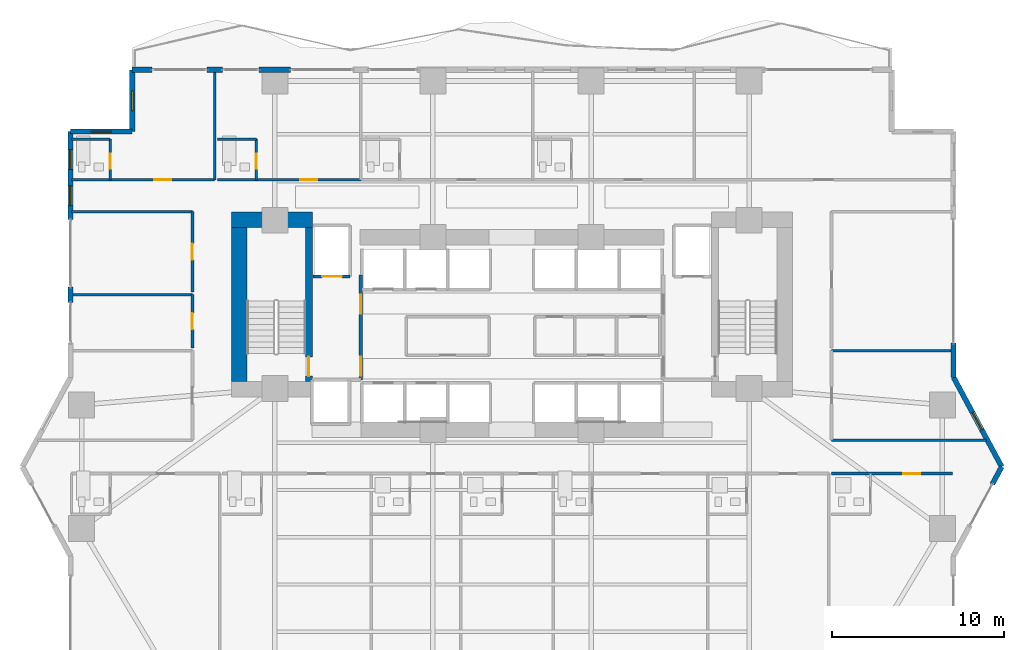
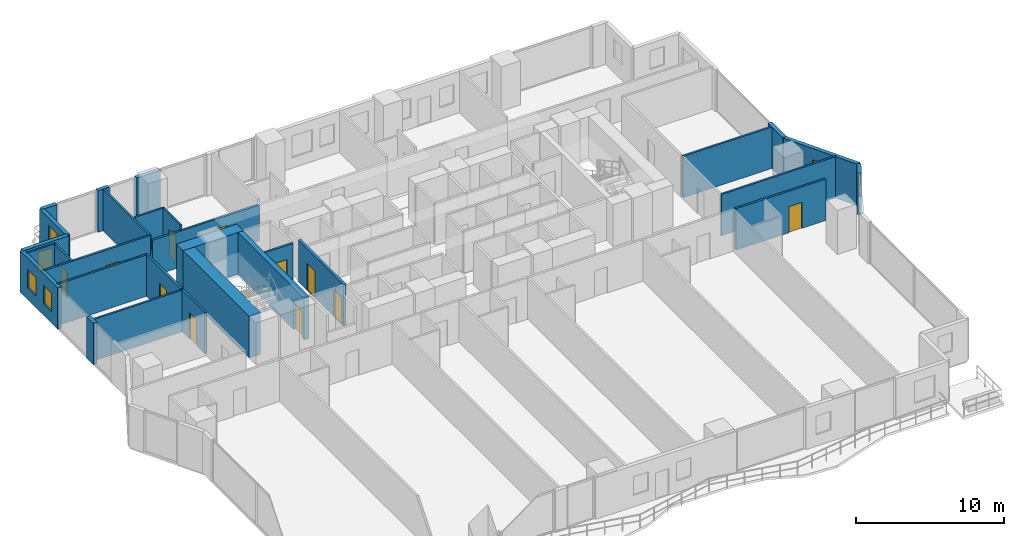
# One storey, part 20 of 29: 29 walls, 11 doors, 5 windows, 16 openings.
"""IFC4 building model written with IfcOpenShell, lengths in metres."""

from ifc_helpers import new_model, si_unit, direction, frame, frame_2d, origin, place, context, subcontext, project, spatial, rectangle, extrude, material, layer, layer_set, type_object, element, fill, save


model = new_model("IFC4")

# Units and contexts
model_context = context("Model", 3, precision=1e-05, world=origin(), true_north=direction((0.0, 1.0)))
body_context = subcontext(model_context, "Body", "Model", "MODEL_VIEW")
ifc_project = project(units=[si_unit("LENGTHUNIT", "METRE"), si_unit("AREAUNIT", "SQUARE_METRE"), si_unit("VOLUMEUNIT", "CUBIC_METRE"), si_unit("PLANEANGLEUNIT", "RADIAN"), si_unit("MASSUNIT", "GRAM", prefix="KILO")], contexts=[model_context])

# Site, building, storey
site_placement = place(None, origin())
site = spatial("IfcSite", under=ifc_project, at=site_placement, CompositionType="ELEMENT")
building_placement = place(site_placement, origin())
building = spatial("IfcBuilding", under=site, at=building_placement, Name="Zuhayl Quay Hotel", CompositionType="ELEMENT")
storey_placement = place(building_placement, frame((0.0, 0.0, 38.550048828125)))
storey = spatial("IfcBuildingStorey", under=building, at=storey_placement, Name="L08", CompositionType="ELEMENT", Elevation=38.550048828125)

# Walls
ifc_material_1 = material(Name="Concrete C70/85", Category="concrete")
ifc_layer_1 = layer(ifc_material_1, 0.89990234375, Name="Concrete C70/85", Category="concrete")
ifc_layer_set_1 = layer_set([ifc_layer_1], Name="Concrete C70/85")
wall_type_1 = type_object("IfcWallType", Name="WL_CORE_900", PredefinedType="SHEAR", material=ifc_layer_set_1)
wall_1_placement = place(storey_placement, frame((-16.31005859375, 14.3798828125, 0.0), z_axis=(0.0, 0.0, 1.0), x_axis=(1.0, 0.0, 0.0)))
element("IfcWall", 1, at=wall_1_placement, inside=storey, type_object=wall_type_1, Name="L08 Core Shear Wall CW_NW", PredefinedType="SHEAR", context=body_context, shape_type="SweptSolid", body=[
    extrude(rectangle(XDim=4.7099609375, YDim=0.89990234375, at=frame_2d((2.35498046875, 0.0))), origin(), (0.0, 0.0, 1.0), 3.4599609375),
])
wall_2_placement = place(storey_placement, frame((-15.860107421875, 4.969970703125, 0.0), z_axis=(0.0, 0.0, 1.0), x_axis=(0.0, 1.0, 0.0)))
element("IfcWall", 2, at=wall_2_placement, inside=storey, type_object=wall_type_1, Name="L08 Core Shear Wall CW_W", PredefinedType="SHEAR", context=body_context, shape_type="SweptSolid", body=[
    extrude(rectangle(XDim=8.9599609375, YDim=0.89990234375, at=frame_2d((4.47998046875, 0.0))), origin(), (0.0, 0.0, 1.0), 3.4599609375),
])
ifc_material_2 = material(Name="Precast concrete C45/55", Category="concrete")
ifc_layer_2 = layer(ifc_material_2, 0.300048828125, Name="Precast concrete C45/55", Category="concrete")
ifc_layer_set_2 = layer_set([ifc_layer_2], Name="Precast concrete C45/55")
wall_type_2 = type_object("IfcWallType", Name="WL_EXT_300", PredefinedType="STANDARD", material=ifc_layer_set_2)
wall_3_placement = place(storey_placement, frame((-25.699951171875, 9.570068359375, 0.0), z_axis=(0.0, 0.0, 1.0), x_axis=(0.0, 1.0, 0.0)))
element("IfcWall", 3, at=wall_3_placement, inside=storey, type_object=wall_type_2, Name="L08 Exterior Precast Wall ENV_L08_E05_EW2", PredefinedType="STANDARD", context=body_context, shape_type="SweptSolid", body=[
    extrude(rectangle(XDim=0.89990234375, YDim=0.300048828125, at=frame_2d((0.449951171875, 0.0))), origin(), (0.0, 0.0, 1.0), 3.429931640625),
])

# Wall, openings, windows
wall_4_placement = place(storey_placement, frame((-25.699951171875, 14.39990234375, 0.0), z_axis=(0.0, 0.0, 1.0), x_axis=(0.0, 1.0, 0.0)))
wall_4 = element("IfcWall", 4, at=wall_4_placement, inside=storey, type_object=wall_type_2, Name="L08 Exterior Precast Wall ENV_L08_E05_EW3", PredefinedType="STANDARD", context=body_context, shape_type="SweptSolid", body=[
    extrude(rectangle(XDim=5.10009765625, YDim=0.300048828125, at=frame_2d((2.550048828125, 0.0))), origin(), (0.0, 0.0, 1.0), 3.429931640625),
])
opening_1_placement = place(wall_4_placement, frame((0.800048828125, 0.0, 0.949951171875)))
opening_1 = element("IfcOpeningElement", 5, at=opening_1_placement, cuts=wall_4, Name="Opening W01N", PredefinedType="OPENING", context=body_context, shape_type="SweptSolid", body=[
    extrude(rectangle(XDim=1.14990234375, YDim=1.550048828125, at=frame_2d((0.574951171875, 0.77490234375))), frame((0.0, 0.159912109375, 0.0), z_axis=(0.0, -1.0, 0.0), x_axis=(1.0, 0.0, 0.0)), (0.0, 0.0, 1.0), 0.320068359375),
])
opening_2_placement = place(wall_4_placement, frame((2.905029296875, 0.0, 0.949951171875)))
opening_2 = element("IfcOpeningElement", 6, at=opening_2_placement, cuts=wall_4, Name="Opening W01N", PredefinedType="OPENING", context=body_context, shape_type="SweptSolid", body=[
    extrude(rectangle(XDim=1.14990234375, YDim=1.550048828125, at=frame_2d((0.574951171875, 0.77490234375))), frame((0.0, 0.159912109375, 0.0), z_axis=(0.0, -1.0, 0.0), x_axis=(1.0, 0.0, 0.0)), (0.0, 0.0, 1.0), 0.320068359375),
])
ifc_material_3 = material(Name="Dark Ceramic-Fritted Solar Glass", Category="glass")
window_type = type_object("IfcWindowType", Name="WN_NOTCH_1350", PartitioningType="SINGLE_PANEL", PredefinedType="WINDOW", material=ifc_material_3)
window_1_placement = place(opening_1_placement, origin())
window_1 = element("IfcWindow", 7, at=window_1_placement, inside=storey, type_object=window_type, Name="L08 Operable Facade Window 3-1", OverallHeight=1.550048828125, OverallWidth=1.14990234375, PartitioningType="SINGLE_PANEL", PredefinedType="WINDOW", context=body_context, shape_type="SweptSolid", body=[
    extrude(rectangle(XDim=1.14990234375, YDim=1.550048828125, at=frame_2d((0.574951171875, 0.77490234375))), frame((0.0, 0.030029296875, 0.0), z_axis=(0.0, -1.0, 0.0), x_axis=(1.0, 0.0, 0.0)), (0.0, 0.0, 1.0), 0.06005859375),
])
fill(opening_1, window_1)
window_2_placement = place(opening_2_placement, origin())
window_2 = element("IfcWindow", 8, at=window_2_placement, inside=storey, type_object=window_type, Name="L08 Operable Facade Window 3-2", OverallHeight=1.550048828125, OverallWidth=1.14990234375, PartitioningType="SINGLE_PANEL", PredefinedType="WINDOW", context=body_context, shape_type="SweptSolid", body=[
    extrude(rectangle(XDim=1.14990234375, YDim=1.550048828125, at=frame_2d((0.574951171875, 0.77490234375))), frame((0.0, 0.030029296875, 0.0), z_axis=(0.0, -1.0, 0.0), x_axis=(1.0, 0.0, 0.0)), (0.0, 0.0, 1.0), 0.06005859375),
])
fill(opening_2, window_2)

# Wall, opening, window
wall_5_placement = place(storey_placement, frame((-25.699951171875, 19.5, 0.0), z_axis=(0.0, 0.0, 1.0), x_axis=(1.0, 0.0, 0.0)))
wall_5 = element("IfcWall", 9, at=wall_5_placement, inside=storey, type_object=wall_type_2, Name="L08 Exterior Precast Wall ENV_L08_EW06", PredefinedType="STANDARD", context=body_context, shape_type="SweptSolid", body=[
    extrude(rectangle(XDim=3.599853515625, YDim=0.300048828125, at=frame_2d((1.7998046875, 0.0))), origin(), (0.0, 0.0, 1.0), 3.429931640625),
])
opening_3_placement = place(wall_5_placement, frame((1.22509765625, 0.0, 1.25)))
opening_3 = element("IfcOpeningElement", 10, at=opening_3_placement, cuts=wall_5, Name="Opening W01N", PredefinedType="OPENING", context=body_context, shape_type="SweptSolid", body=[
    extrude(rectangle(XDim=1.14990234375, YDim=1.550048828125, at=frame_2d((0.574951171875, 0.77490234375))), frame((0.0, 0.159912109375, 0.0), z_axis=(0.0, -1.0, 0.0), x_axis=(1.0, 0.0, 0.0)), (0.0, 0.0, 1.0), 0.320068359375),
])
window_3_placement = place(opening_3_placement, origin())
window_3 = element("IfcWindow", 11, at=window_3_placement, inside=storey, type_object=window_type, Name="L08 Corner Notch Window 6", OverallHeight=1.550048828125, OverallWidth=1.14990234375, PartitioningType="SINGLE_PANEL", PredefinedType="WINDOW", context=body_context, shape_type="SweptSolid", body=[
    extrude(rectangle(XDim=1.14990234375, YDim=1.550048828125, at=frame_2d((0.574951171875, 0.77490234375))), frame((0.0, 0.030029296875, 0.0), z_axis=(0.0, -1.0, 0.0), x_axis=(1.0, 0.0, 0.0)), (0.0, 0.0, 1.0), 0.06005859375),
])
fill(opening_3, window_3)

wall_6_placement = place(storey_placement, frame((-22.10009765625, 19.5, 0.0), z_axis=(0.0, 0.0, 1.0), x_axis=(0.0, 1.0, 0.0)))
wall_6 = element("IfcWall", 12, at=wall_6_placement, inside=storey, type_object=wall_type_2, Name="L08 Exterior Precast Wall ENV_L08_EW07", PredefinedType="STANDARD", context=body_context, shape_type="SweptSolid", body=[
    extrude(rectangle(XDim=3.60009765625, YDim=0.300048828125, at=frame_2d((1.800048828125, 0.0))), origin(), (0.0, 0.0, 1.0), 3.429931640625),
])
opening_4_placement = place(wall_6_placement, frame((1.22509765625, 0.0, 1.25)))
opening_4 = element("IfcOpeningElement", 13, at=opening_4_placement, cuts=wall_6, Name="Opening W01N", PredefinedType="OPENING", context=body_context, shape_type="SweptSolid", body=[
    extrude(rectangle(XDim=1.14990234375, YDim=1.550048828125, at=frame_2d((0.574951171875, 0.77490234375))), frame((0.0, 0.159912109375, 0.0), z_axis=(0.0, -1.0, 0.0), x_axis=(1.0, 0.0, 0.0)), (0.0, 0.0, 1.0), 0.320068359375),
])
window_4_placement = place(opening_4_placement, origin())
window_4 = element("IfcWindow", 14, at=window_4_placement, inside=storey, type_object=window_type, Name="L08 Corner Notch Window 7", OverallHeight=1.550048828125, OverallWidth=1.14990234375, PartitioningType="SINGLE_PANEL", PredefinedType="WINDOW", context=body_context, shape_type="SweptSolid", body=[
    extrude(rectangle(XDim=1.14990234375, YDim=1.550048828125, at=frame_2d((0.574951171875, 0.77490234375))), frame((0.0, 0.030029296875, 0.0), z_axis=(0.0, -1.0, 0.0), x_axis=(1.0, 0.0, 0.0)), (0.0, 0.0, 1.0), 0.06005859375),
])
fill(opening_4, window_4)

# Walls
wall_7_placement = place(storey_placement, frame((-22.10009765625, 23.10009765625, 0.0), z_axis=(0.0, 0.0, 1.0), x_axis=(1.0, 0.0, 0.0)))
element("IfcWall", 15, at=wall_7_placement, inside=storey, type_object=wall_type_2, Name="L08 Exterior Precast Wall ENV_L08_N_EW1", PredefinedType="STANDARD", context=body_context, shape_type="SweptSolid", body=[
    extrude(rectangle(XDim=1.150146484375, YDim=0.300048828125, at=frame_2d((0.5751953125, 0.0))), origin(), (0.0, 0.0, 1.0), 3.429931640625),
])
wall_8_placement = place(storey_placement, frame((-17.75, 23.10009765625, 0.0), z_axis=(0.0, 0.0, 1.0), x_axis=(1.0, 0.0, 0.0)))
element("IfcWall", 16, at=wall_8_placement, inside=storey, type_object=wall_type_2, Name="L08 Exterior Precast Wall ENV_L08_N_EW2", PredefinedType="STANDARD", context=body_context, shape_type="SweptSolid", body=[
    extrude(rectangle(XDim=0.89990234375, YDim=0.300048828125, at=frame_2d((0.449951171875, 0.0))), origin(), (0.0, 0.0, 1.0), 3.429931640625),
])
wall_9_placement = place(storey_placement, frame((-14.719970703125, 23.10009765625, 0.0), z_axis=(0.0, 0.0, 1.0), x_axis=(1.0, 0.0, 0.0)))
element("IfcWall", 17, at=wall_9_placement, inside=storey, type_object=wall_type_2, Name="L08 Exterior Precast Wall ENV_L08_N_EW3", PredefinedType="STANDARD", context=body_context, shape_type="SweptSolid", body=[
    extrude(rectangle(XDim=1.840087890625, YDim=0.300048828125, at=frame_2d((0.919921875, 0.0))), origin(), (0.0, 0.0, 1.0), 3.429931640625),
])
wall_10_placement = place(storey_placement, frame((25.699951171875, 7.199951171875, 0.0), z_axis=(0.0, 0.0, 1.0), x_axis=(0.0, -1.0, 0.0)))
element("IfcWall", 18, at=wall_10_placement, inside=storey, type_object=wall_type_2, Name="L08 Exterior Precast Wall ENV_L08_E11_EW2", PredefinedType="STANDARD", context=body_context, shape_type="SweptSolid", body=[
    extrude(rectangle(XDim=2.0, YDim=0.300048828125, at=frame_2d((1.0, 0.0))), origin(), (0.0, 0.0, 1.0), 3.429931640625),
])

# Wall, opening, window
wall_11_placement = place(storey_placement, frame((25.699951171875, 5.199951171875, 0.0), z_axis=(0.0, 0.0, 1.0), x_axis=(0.474109683532, -0.880465790352, 0.0)))
wall_11 = element("IfcWall", 19, at=wall_11_placement, inside=storey, type_object=wall_type_2, Name="L08 Exterior Precast Wall ENV_L08_E12_EW1", PredefinedType="STANDARD", context=body_context, shape_type="SweptSolid", body=[
    extrude(rectangle(XDim=5.906005859375, YDim=0.300048828125, at=frame_2d((2.953125, 0.0))), origin(), (0.0, 0.0, 1.0), 3.429931640625),
])
opening_5_placement = place(wall_11_placement, frame((2.32373046875, 0.0, 0.949951171875)))
opening_5 = element("IfcOpeningElement", 20, at=opening_5_placement, cuts=wall_11, Name="Opening W01N", PredefinedType="OPENING", context=body_context, shape_type="SweptSolid", body=[
    extrude(rectangle(XDim=1.14990234375, YDim=1.550048828125, at=frame_2d((0.574951171875, 0.77490234375))), frame((0.0, 0.159912109375, 0.0), z_axis=(0.0, -1.0, 0.0), x_axis=(1.0, 0.0, 0.0)), (0.0, 0.0, 1.0), 0.320068359375),
])
window_5_placement = place(opening_5_placement, origin())
window_5 = element("IfcWindow", 21, at=window_5_placement, inside=storey, type_object=window_type, Name="L08 Operable Facade Window 1-1", OverallHeight=1.550048828125, OverallWidth=1.14990234375, PartitioningType="SINGLE_PANEL", PredefinedType="WINDOW", context=body_context, shape_type="SweptSolid", body=[
    extrude(rectangle(XDim=1.14990234375, YDim=1.550048828125, at=frame_2d((0.574951171875, 0.77490234375))), frame((0.0, 0.030029296875, 0.0), z_axis=(0.0, -1.0, 0.0), x_axis=(1.0, 0.0, 0.0)), (0.0, 0.0, 1.0), 0.06005859375),
])
fill(opening_5, window_5)

# Walls
wall_12_placement = place(storey_placement, frame((28.5, 0.0, 0.0), z_axis=(0.0, 0.0, 1.0), x_axis=(-0.474099823035, -0.880471099922, 0.0)))
element("IfcWall", 22, at=wall_12_placement, inside=storey, type_object=wall_type_2, Name="L08 Exterior Precast Wall ENV_L08_E13_EW1", PredefinedType="STANDARD", context=body_context, shape_type="SweptSolid", body=[
    extrude(rectangle(XDim=1.14990234375, YDim=0.300048828125, at=frame_2d((0.574951171875, 0.0))), origin(), (0.0, 0.0, 1.0), 3.429931640625),
])
ifc_material_4 = material(Name="Acoustic Gypsum Partition STC-58")
ifc_layer_3 = layer(ifc_material_4, 0.14990234375, Name="Acoustic Gypsum Partition STC-58")
ifc_layer_set_3 = layer_set([ifc_layer_3], Name="Acoustic Gypsum Partition STC-58")
wall_type_3 = type_object("IfcWallType", Name="WL_PART_150", PredefinedType="PARTITIONING", material=ifc_layer_set_3)
wall_13_placement = place(storey_placement, frame((-17.300048828125, 16.699951171875, 0.0), z_axis=(0.0, 0.0, 1.0), x_axis=(0.0, 1.0, 0.0)))
element("IfcWall", 23, at=wall_13_placement, inside=storey, type_object=wall_type_3, Name="L08 Partition IW_L08_NU01A_E", PredefinedType="PARTITIONING", context=body_context, shape_type="SweptSolid", body=[
    extrude(rectangle(XDim=6.320068359375, YDim=0.14990234375, at=frame_2d((3.16015625, 0.0))), origin(), (0.0, 0.0, 1.0), 3.429931640625),
])
wall_14_placement = place(storey_placement, frame((18.60009765625, 1.550048828125, 0.0), z_axis=(0.0, 0.0, 1.0), x_axis=(1.0, 0.0, 0.0)))
element("IfcWall", 24, at=wall_14_placement, inside=storey, type_object=wall_type_3, Name="L08 Partition IW_L08_HK_MAIN_S", PredefinedType="PARTITIONING", context=body_context, shape_type="SweptSolid", body=[
    extrude(rectangle(XDim=9.00537109375, YDim=0.14990234375, at=frame_2d((4.502685546875, 0.0))), origin(), (0.0, 0.0, 1.0), 3.429931640625),
])
for number, where, z_axis, x_axis, name in (
    (25, (18.60009765625, 6.75, 0.0), (0.0, 0.0, 1.0), (1.0, 0.0, 0.0), "L08 Partition IW_L08_HK_MAIN_N"),
    (26, (-25.639892578125, 10.02001953125, 0.0), (0.0, 0.0, 1.0), (1.0, 0.0, 0.0), "L08 Partition IW_L08_WPROW_2_N"),
    (27, (-25.639892578125, 14.85009765625, 0.0), (0.0, 0.0, 1.0), (1.0, 0.0, 0.0), "L08 Partition IW_L08_WPROW_3_N"),
):
    element("IfcWall", number, at=place(storey_placement, frame(where, z_axis=z_axis, x_axis=x_axis)), inside=storey, type_object=wall_type_3, Name=name, PredefinedType="PARTITIONING", context=body_context, shape_type="SweptSolid", body=[
        extrude(rectangle(XDim=7.039794921875, YDim=0.14990234375, at=frame_2d((3.52001953125, 0.0))), origin(), (0.0, 0.0, 1.0), 3.429931640625),
    ])

# Wall, opening, door
ifc_layer_4 = layer(ifc_material_4, 0.159912109375, Name="Acoustic Gypsum Partition STC-58")
ifc_layer_set_4 = layer_set([ifc_layer_4], Name="Acoustic Gypsum Partition STC-58")
wall_type_4 = type_object("IfcWallType", Name="WL_PART_CORR_160", PredefinedType="PARTITIONING", material=ifc_layer_set_4)
wall_15_placement = place(storey_placement, frame((-25.639892578125, 16.699951171875, 0.0), z_axis=(0.0, 0.0, 1.0), x_axis=(1.0, 0.0, 0.0)))
wall_15 = element("IfcWall", 28, at=wall_15_placement, inside=storey, type_object=wall_type_4, Name="L08 Partition IW_L08_NU01A_COR", PredefinedType="PARTITIONING", context=body_context, shape_type="SweptSolid", body=[
    extrude(rectangle(XDim=8.33984375, YDim=0.159912109375, at=frame_2d((4.169921875, 0.0))), origin(), (0.0, 0.0, 1.0), 3.429931640625),
])
opening_6_placement = place(wall_15_placement, frame((4.820068359375, 0.0, 0.0)))
opening_6 = element("IfcOpeningElement", 29, at=opening_6_placement, cuts=wall_15, Name="Opening D03L", PredefinedType="OPENING", context=body_context, shape_type="SweptSolid", body=[
    extrude(rectangle(XDim=1.0, YDim=2.14990234375, at=frame_2d((0.5, 1.074951171875))), frame((0.0, 0.08984375, 0.0), z_axis=(0.0, -1.0, 0.0), x_axis=(1.0, 0.0, 0.0)), (0.0, 0.0, 1.0), 0.179931640625),
])
ifc_material_5 = material(Name="Solid Walnut Acoustic Fire Door")
door_type_1 = type_object("IfcDoorType", Name="DR_SUITE_1000", OperationType="NOTDEFINED", PredefinedType="DOOR", material=ifc_material_5)
door_1_placement = place(opening_6_placement, origin())
door_1 = element("IfcDoor", 30, at=door_1_placement, inside=storey, type_object=door_type_1, Name="L08 Deluxe Gulf Guest Room L08-01A Entrance Door", OperationType="SINGLE_SWING_LEFT", OverallHeight=2.14990234375, OverallWidth=1.0, PredefinedType="DOOR", context=body_context, shape_type="SweptSolid", body=[
    extrude(rectangle(XDim=1.0, YDim=2.14990234375, at=frame_2d((0.5, 1.074951171875))), frame((0.0, 0.02490234375, 0.0), z_axis=(0.0, -1.0, 0.0), x_axis=(1.0, 0.0, 0.0)), (0.0, 0.0, 1.0), 0.050048828125),
])
fill(opening_6, door_1)

wall_16_placement = place(storey_placement, frame((-17.139892578125, 16.699951171875, 0.0), z_axis=(0.0, 0.0, 1.0), x_axis=(1.0, 0.0, 0.0)))
wall_16 = element("IfcWall", 31, at=wall_16_placement, inside=storey, type_object=wall_type_4, Name="L08 Partition IW_L08_NU01B_COR", PredefinedType="PARTITIONING", context=body_context, shape_type="SweptSolid", body=[
    extrude(rectangle(XDim=8.33984375, YDim=0.159912109375, at=frame_2d((4.169921875, 0.0))), origin(), (0.0, 0.0, 1.0), 2.972900390625),
])
opening_7_placement = place(wall_16_placement, frame((4.820068359375, 0.0, 0.0)))
opening_7 = element("IfcOpeningElement", 32, at=opening_7_placement, cuts=wall_16, Name="Opening D03L", PredefinedType="OPENING", context=body_context, shape_type="SweptSolid", body=[
    extrude(rectangle(XDim=1.0, YDim=2.14990234375, at=frame_2d((0.5, 1.074951171875))), frame((0.0, 0.08984375, 0.0), z_axis=(0.0, -1.0, 0.0), x_axis=(1.0, 0.0, 0.0)), (0.0, 0.0, 1.0), 0.179931640625),
])
door_2_placement = place(opening_7_placement, origin())
door_2 = element("IfcDoor", 33, at=door_2_placement, inside=storey, type_object=door_type_1, Name="L08 Deluxe Gulf Guest Room L08-01B Entrance Door", OperationType="SINGLE_SWING_LEFT", OverallHeight=2.14990234375, OverallWidth=1.0, PredefinedType="DOOR", context=body_context, shape_type="SweptSolid", body=[
    extrude(rectangle(XDim=1.0, YDim=2.14990234375, at=frame_2d((0.5, 1.074951171875))), frame((0.0, 0.02490234375, 0.0), z_axis=(0.0, -1.0, 0.0), x_axis=(1.0, 0.0, 0.0)), (0.0, 0.0, 1.0), 0.050048828125),
])
fill(opening_7, door_2)

wall_17_placement = place(storey_placement, frame((18.60009765625, -0.39990234375, 0.0), z_axis=(0.0, 0.0, 1.0), x_axis=(1.0, 0.0, 0.0)))
wall_17 = element("IfcWall", 34, at=wall_17_placement, inside=storey, type_object=wall_type_4, Name="L08 Partition IW_L08_SU04B_COR", PredefinedType="PARTITIONING", context=body_context, shape_type="SweptSolid", body=[
    extrude(rectangle(XDim=7.039794921875, YDim=0.159912109375, at=frame_2d((3.52001953125, 0.0))), origin(), (0.0, 0.0, 1.0), 3.429931640625),
])
opening_8_placement = place(wall_17_placement, frame((4.169921875, 0.0, 0.0)))
opening_8 = element("IfcOpeningElement", 35, at=opening_8_placement, cuts=wall_17, Name="Opening D03L", PredefinedType="OPENING", context=body_context, shape_type="SweptSolid", body=[
    extrude(rectangle(XDim=1.0, YDim=2.14990234375, at=frame_2d((0.5, 1.074951171875))), frame((0.0, 0.08984375, 0.0), z_axis=(0.0, -1.0, 0.0), x_axis=(1.0, 0.0, 0.0)), (0.0, 0.0, 1.0), 0.179931640625),
])
door_3_placement = place(opening_8_placement, origin())
door_3 = element("IfcDoor", 36, at=door_3_placement, inside=storey, type_object=door_type_1, Name="L08 City-View Junior Suite L08-04B Entrance Door", OperationType="SINGLE_SWING_RIGHT", OverallHeight=2.14990234375, OverallWidth=1.0, PredefinedType="DOOR", context=body_context, shape_type="SweptSolid", body=[
    extrude(rectangle(XDim=1.0, YDim=2.14990234375, at=frame_2d((0.5, 1.074951171875))), frame((0.0, 0.02490234375, 0.0), z_axis=(0.0, -1.0, 0.0), x_axis=(1.0, 0.0, 0.0)), (0.0, 0.0, 1.0), 0.050048828125),
])
fill(opening_8, door_3)

wall_18_placement = place(storey_placement, frame((-18.60009765625, 6.909912109375, 0.0), z_axis=(0.0, 0.0, 1.0), x_axis=(0.0, 1.0, 0.0)))
wall_18 = element("IfcWall", 37, at=wall_18_placement, inside=storey, type_object=wall_type_4, Name="L08 Partition IW_L08_WPROW_2_E", PredefinedType="PARTITIONING", context=body_context, shape_type="SweptSolid", body=[
    extrude(rectangle(XDim=3.110107421875, YDim=0.159912109375, at=frame_2d((1.55517578125, 0.0))), origin(), (0.0, 0.0, 1.0), 3.429931640625),
])
opening_9_placement = place(wall_18_placement, frame((1.080078125, 0.0, 0.0)))
opening_9 = element("IfcOpeningElement", 38, at=opening_9_placement, cuts=wall_18, Name="Opening D03", PredefinedType="OPENING", context=body_context, shape_type="SweptSolid", body=[
    extrude(rectangle(XDim=0.949951171875, YDim=2.14990234375, at=frame_2d((0.47509765625, 1.074951171875))), frame((0.0, 0.08984375, 0.0), z_axis=(0.0, -1.0, 0.0), x_axis=(1.0, 0.0, 0.0)), (0.0, 0.0, 1.0), 0.179931640625),
])
door_type_2 = type_object("IfcDoorType", Name="DR_SUITE_950", OperationType="NOTDEFINED", PredefinedType="DOOR", material=ifc_material_5)
door_4_placement = place(opening_9_placement, origin())
door_4 = element("IfcDoor", 39, at=door_4_placement, inside=storey, type_object=door_type_2, Name="L08 Sunset Tea Salon L08 Door", OperationType="SINGLE_SWING_RIGHT", OverallHeight=2.14990234375, OverallWidth=0.949951171875, PredefinedType="DOOR", context=body_context, shape_type="SweptSolid", body=[
    extrude(rectangle(XDim=0.949951171875, YDim=2.14990234375, at=frame_2d((0.47509765625, 1.074951171875))), frame((0.0, 0.02490234375, 0.0), z_axis=(0.0, -1.0, 0.0), x_axis=(1.0, 0.0, 0.0)), (0.0, 0.0, 1.0), 0.050048828125),
])
fill(opening_9, door_4)

wall_19_placement = place(storey_placement, frame((-18.60009765625, 10.179931640625, 0.0), z_axis=(0.0, 0.0, 1.0), x_axis=(0.0, 1.0, 0.0)))
wall_19 = element("IfcWall", 40, at=wall_19_placement, inside=storey, type_object=wall_type_4, Name="L08 Partition IW_L08_WPROW_3_E", PredefinedType="PARTITIONING", context=body_context, shape_type="SweptSolid", body=[
    extrude(rectangle(XDim=4.670166015625, YDim=0.159912109375, at=frame_2d((2.3349609375, 0.0))), origin(), (0.0, 0.0, 1.0), 3.429931640625),
])
opening_10_placement = place(wall_19_placement, frame((1.860107421875, 0.0, 0.0)))
opening_10 = element("IfcOpeningElement", 41, at=opening_10_placement, cuts=wall_19, Name="Opening D03", PredefinedType="OPENING", context=body_context, shape_type="SweptSolid", body=[
    extrude(rectangle(XDim=0.949951171875, YDim=2.14990234375, at=frame_2d((0.47509765625, 1.074951171875))), frame((0.0, 0.08984375, 0.0), z_axis=(0.0, -1.0, 0.0), x_axis=(1.0, 0.0, 0.0)), (0.0, 0.0, 1.0), 0.179931640625),
])
door_5_placement = place(opening_10_placement, origin())
door_5 = element("IfcDoor", 42, at=door_5_placement, inside=storey, type_object=door_type_2, Name="L08 West Horizon Salon L08 Door", OperationType="SINGLE_SWING_LEFT", OverallHeight=2.14990234375, OverallWidth=0.949951171875, PredefinedType="DOOR", context=body_context, shape_type="SweptSolid", body=[
    extrude(rectangle(XDim=0.949951171875, YDim=2.14990234375, at=frame_2d((0.47509765625, 1.074951171875))), frame((0.0, 0.02490234375, 0.0), z_axis=(0.0, -1.0, 0.0), x_axis=(1.0, 0.0, 0.0)), (0.0, 0.0, 1.0), 0.050048828125),
])
fill(opening_10, door_5)

ifc_material_6 = material(Name="Moisture-Resistant Sanitarychase Gypsum")
ifc_layer_5 = layer(ifc_material_6, 0.135009765625, Name="Moisture-Resistant Sanitarychase Gypsum")
ifc_layer_set_5 = layer_set([ifc_layer_5], Name="Moisture-Resistant Sanitarychase Gypsum")
wall_type_5 = type_object("IfcWallType", Name="WL_PART_PLUMB_150", PredefinedType="PLUMBINGWALL", material=ifc_layer_set_5)
wall_20_placement = place(storey_placement, frame((-23.3798828125, 16.699951171875, 0.0), z_axis=(0.0, 0.0, 1.0), x_axis=(0.0, 1.0, 0.0)))
wall_20 = element("IfcWall", 43, at=wall_20_placement, inside=storey, type_object=wall_type_5, Name="L08 Partition IW_L08_NU01A_BE", PredefinedType="PLUMBINGWALL", context=body_context, shape_type="SweptSolid", body=[
    extrude(rectangle(XDim=2.360107421875, YDim=0.135009765625, at=frame_2d((1.18017578125, 0.0))), origin(), (0.0, 0.0, 1.0), 3.429931640625),
])
opening_11_placement = place(wall_20_placement, frame((0.64990234375, 0.0, 0.0)))
opening_11 = element("IfcOpeningElement", 44, at=opening_11_placement, cuts=wall_20, Name="Opening D04", PredefinedType="OPENING", context=body_context, shape_type="SweptSolid", body=[
    extrude(rectangle(XDim=0.85009765625, YDim=2.10009765625, at=frame_2d((0.425048828125, 1.050048828125))), frame((0.0, 0.077392578125, 0.0), z_axis=(0.0, -1.0, 0.0), x_axis=(1.0, 0.0, 0.0)), (0.0, 0.0, 1.0), 0.155029296875),
])
ifc_material_7 = material(Name="Moisture-Resistant Walnut Veneer")
door_type_3 = type_object("IfcDoorType", Name="DR_BATH_850", OperationType="NOTDEFINED", PredefinedType="DOOR", material=ifc_material_7)
door_6_placement = place(opening_11_placement, origin())
door_6 = element("IfcDoor", 45, at=door_6_placement, inside=storey, type_object=door_type_3, Name="L08 Deluxe Gulf Guest Room L08-01A En-Suite Door", OperationType="SINGLE_SWING_RIGHT", OverallHeight=2.10009765625, OverallWidth=0.85009765625, PredefinedType="DOOR", context=body_context, shape_type="SweptSolid", body=[
    extrude(rectangle(XDim=0.85009765625, YDim=2.10009765625, at=frame_2d((0.425048828125, 1.050048828125))), frame((0.0, 0.02490234375, 0.0), z_axis=(0.0, -1.0, 0.0), x_axis=(1.0, 0.0, 0.0)), (0.0, 0.0, 1.0), 0.050048828125),
])
fill(opening_11, door_6)

wall_21_placement = place(storey_placement, frame((-14.8798828125, 16.699951171875, 0.0), z_axis=(0.0, 0.0, 1.0), x_axis=(0.0, 1.0, 0.0)))
wall_21 = element("IfcWall", 46, at=wall_21_placement, inside=storey, type_object=wall_type_5, Name="L08 Partition IW_L08_NU01B_BE", PredefinedType="PLUMBINGWALL", context=body_context, shape_type="SweptSolid", body=[
    extrude(rectangle(XDim=2.360107421875, YDim=0.135009765625, at=frame_2d((1.18017578125, 0.0))), origin(), (0.0, 0.0, 1.0), 3.429931640625),
])
opening_12_placement = place(wall_21_placement, frame((0.64990234375, 0.0, 0.0)))
opening_12 = element("IfcOpeningElement", 47, at=opening_12_placement, cuts=wall_21, Name="Opening D04", PredefinedType="OPENING", context=body_context, shape_type="SweptSolid", body=[
    extrude(rectangle(XDim=0.85009765625, YDim=2.10009765625, at=frame_2d((0.425048828125, 1.050048828125))), frame((0.0, 0.077392578125, 0.0), z_axis=(0.0, -1.0, 0.0), x_axis=(1.0, 0.0, 0.0)), (0.0, 0.0, 1.0), 0.155029296875),
])
door_7_placement = place(opening_12_placement, origin())
door_7 = element("IfcDoor", 48, at=door_7_placement, inside=storey, type_object=door_type_3, Name="L08 Deluxe Gulf Guest Room L08-01B En-Suite Door", OperationType="SINGLE_SWING_RIGHT", OverallHeight=2.10009765625, OverallWidth=0.85009765625, PredefinedType="DOOR", context=body_context, shape_type="SweptSolid", body=[
    extrude(rectangle(XDim=0.85009765625, YDim=2.10009765625, at=frame_2d((0.425048828125, 1.050048828125))), frame((0.0, 0.02490234375, 0.0), z_axis=(0.0, -1.0, 0.0), x_axis=(1.0, 0.0, 0.0)), (0.0, 0.0, 1.0), 0.050048828125),
])
fill(opening_12, door_7)

# Walls
for number, where, z_axis, x_axis, name in (
    (49, (-25.639892578125, 19.06005859375, 0.0), (0.0, 0.0, 1.0), (1.0, 0.0, 0.0), "L08 Partition IW_L08_NU01A_BN"),
    (50, (-17.139892578125, 19.06005859375, 0.0), (0.0, 0.0, 1.0), (1.0, 0.0, 0.0), "L08 Partition IW_L08_NU01B_BN"),
):
    element("IfcWall", number, at=place(storey_placement, frame(where, z_axis=z_axis, x_axis=x_axis)), inside=storey, type_object=wall_type_5, Name=name, PredefinedType="PLUMBINGWALL", context=body_context, shape_type="SweptSolid", body=[
        extrude(rectangle(XDim=2.260009765625, YDim=0.135009765625, at=frame_2d((1.1298828125, 0.0))), origin(), (0.0, 0.0, 1.0), 3.429931640625),
    ])

# Wall, opening, door
ifc_material_8 = material(Name="Gypsum Fireboard Assembly EI-90")
ifc_layer_6 = layer(ifc_material_8, 0.1650390625, Name="Gypsum Fireboard Assembly EI-90")
ifc_layer_set_6 = layer_set([ifc_layer_6], Name="Gypsum Fireboard Assembly EI-90")
wall_type_6 = type_object("IfcWallType", Name="WL_PART_SHAFT_160", PredefinedType="PARTITIONING", material=ifc_layer_set_6)
wall_22_placement = place(storey_placement, frame((-11.580078125, 11.070068359375, 0.0), z_axis=(0.0, 0.0, 1.0), x_axis=(1.0, 0.0, 0.0)))
wall_22 = element("IfcWall", 51, at=wall_22_placement, inside=storey, type_object=wall_type_6, Name="L08 Partition IW_L08_SH_FL1_F", PredefinedType="PARTITIONING", context=body_context, shape_type="SweptSolid", body=[
    extrude(rectangle(XDim=2.16015625, YDim=0.1650390625, at=frame_2d((1.080078125, 0.0))), origin(), (0.0, 0.0, 1.0), 3.429931640625),
])
opening_13_placement = place(wall_22_placement, frame((0.530029296875, 0.0, 0.0)))
opening_13 = element("IfcOpeningElement", 52, at=opening_13_placement, cuts=wall_22, Name="Opening LD2", PredefinedType="OPENING", context=body_context, shape_type="SweptSolid", body=[
    extrude(rectangle(XDim=1.14990234375, YDim=2.25, at=frame_2d((0.574951171875, 1.125))), frame((0.0, 0.092529296875, 0.0), z_axis=(0.0, -1.0, 0.0), x_axis=(1.0, 0.0, 0.0)), (0.0, 0.0, 1.0), 0.18505859375),
])
ifc_material_9 = material(Name="Brushed Stainless Steel", Category="steel")
door_type_4 = type_object("IfcDoorType", Name="DR_LIFT_FF_1100", OperationType="SLIDING_TO_LEFT", PredefinedType="DOOR", material=ifc_material_9)
door_8_placement = place(opening_13_placement, origin())
door_8 = element("IfcDoor", 53, at=door_8_placement, inside=storey, type_object=door_type_4, Name="L08 Lift FL1 Sliding Landing Door", OperationType="SLIDING_TO_LEFT", OverallHeight=2.25, OverallWidth=1.14990234375, PredefinedType="DOOR", context=body_context, shape_type="SweptSolid", body=[
    extrude(rectangle(XDim=1.14990234375, YDim=2.25, at=frame_2d((0.574951171875, 1.125))), frame((0.0, 0.02490234375, 0.0), z_axis=(0.0, -1.0, 0.0), x_axis=(1.0, 0.0, 0.0)), (0.0, 0.0, 1.0), 0.050048828125),
])
fill(opening_13, door_8)

# Wall, openings, doors
ifc_material_10 = material(Name="Gypsum Fireboard Assembly EI-120")
ifc_layer_7 = layer(ifc_material_10, 0.199951171875, Name="Gypsum Fireboard Assembly EI-120")
ifc_layer_set_7 = layer_set([ifc_layer_7], Name="Gypsum Fireboard Assembly EI-120")
wall_type_7 = type_object("IfcWallType", Name="WL_PART_SHAFT_200", PredefinedType="PARTITIONING", material=ifc_layer_set_7)
wall_23_placement = place(storey_placement, frame((-8.800048828125, 5.050048828125, 0.0), z_axis=(0.0, 0.0, 1.0), x_axis=(0.0, 1.0, 0.0)))
wall_23 = element("IfcWall", 54, at=wall_23_placement, inside=storey, type_object=wall_type_7, Name="L08 Partition IW_L08_FSAE_W_E", PredefinedType="PARTITIONING", context=body_context, shape_type="SweptSolid", body=[
    extrude(rectangle(XDim=6.099853515625, YDim=0.199951171875, at=frame_2d((3.0498046875, 0.0))), origin(), (0.0, 0.0, 1.0), 3.429931640625),
])
opening_14_placement = place(wall_23_placement, frame((0.25, 0.0, 0.0)))
opening_14 = element("IfcOpeningElement", 55, at=opening_14_placement, cuts=wall_23, Name="Opening D02", PredefinedType="OPENING", context=body_context, shape_type="SweptSolid", body=[
    extrude(rectangle(XDim=1.10009765625, YDim=2.199951171875, at=frame_2d((0.550048828125, 1.10009765625))), frame((0.0, 0.10986328125, 0.0), z_axis=(0.0, -1.0, 0.0), x_axis=(1.0, 0.0, 0.0)), (0.0, 0.0, 1.0), 0.219970703125),
])
opening_15_placement = place(wall_23_placement, frame((3.85009765625, 0.0, 0.0)))
opening_15 = element("IfcOpeningElement", 56, at=opening_15_placement, cuts=wall_23, Name="Opening D02", PredefinedType="OPENING", context=body_context, shape_type="SweptSolid", body=[
    extrude(rectangle(XDim=1.10009765625, YDim=2.199951171875, at=frame_2d((0.550048828125, 1.10009765625))), frame((0.0, 0.10986328125, 0.0), z_axis=(0.0, -1.0, 0.0), x_axis=(1.0, 0.0, 0.0)), (0.0, 0.0, 1.0), 0.219970703125),
])
ifc_material_11 = material(Name="Steel ASTM A992 Grade 50", Category="steel")
door_type_5 = type_object("IfcDoorType", Name="DR_FIRE_90_1100", OperationType="NOTDEFINED", PredefinedType="DOOR", material=ifc_material_11)
door_9_placement = place(opening_14_placement, origin())
door_9 = element("IfcDoor", 57, at=door_9_placement, inside=storey, type_object=door_type_5, Name="L08 FSAE Lobby West South Entry Door", OperationType="SINGLE_SWING_RIGHT", OverallHeight=2.199951171875, OverallWidth=1.10009765625, PredefinedType="DOOR", context=body_context, shape_type="SweptSolid", body=[
    extrude(rectangle(XDim=1.10009765625, YDim=2.199951171875, at=frame_2d((0.550048828125, 1.10009765625))), frame((0.0, 0.02490234375, 0.0), z_axis=(0.0, -1.0, 0.0), x_axis=(1.0, 0.0, 0.0)), (0.0, 0.0, 1.0), 0.050048828125),
])
fill(opening_14, door_9)
door_10_placement = place(opening_15_placement, origin())
door_10 = element("IfcDoor", 58, at=door_10_placement, inside=storey, type_object=door_type_5, Name="L08 FSAE Lobby West North Entry Door", OperationType="SINGLE_SWING_LEFT", OverallHeight=2.199951171875, OverallWidth=1.10009765625, PredefinedType="DOOR", context=body_context, shape_type="SweptSolid", body=[
    extrude(rectangle(XDim=1.10009765625, YDim=2.199951171875, at=frame_2d((0.550048828125, 1.10009765625))), frame((0.0, 0.02490234375, 0.0), z_axis=(0.0, -1.0, 0.0), x_axis=(1.0, 0.0, 0.0)), (0.0, 0.0, 1.0), 0.050048828125),
])
fill(opening_15, door_10)

# Wall, opening, door
ifc_material_12 = material(Name="Concrete C60/75", Category="concrete")
ifc_layer_8 = layer(ifc_material_12, 0.39990234375, Name="Concrete C60/75", Category="concrete")
ifc_layer_set_8 = layer_set([ifc_layer_8], Name="Concrete C60/75")
wall_type_8 = type_object("IfcWallType", Name="WL_STAIR_400", PredefinedType="SHEAR", material=ifc_layer_set_8)
wall_24_placement = place(storey_placement, frame((-11.820068359375, 4.969970703125, 0.0), z_axis=(0.0, 0.0, 1.0), x_axis=(0.0, 1.0, 0.0)))
wall_24 = element("IfcWall", 59, at=wall_24_placement, inside=storey, type_object=wall_type_8, Name="L08 Core Shear Wall SW_ST1", PredefinedType="SHEAR", context=body_context, shape_type="SweptSolid", body=[
    extrude(rectangle(XDim=8.9599609375, YDim=0.39990234375, at=frame_2d((4.47998046875, 0.0))), origin(), (0.0, 0.0, 1.0), 3.4599609375),
])
opening_16_placement = place(wall_24_placement, frame((0.31005859375, 0.0, 0.0)))
opening_16 = element("IfcOpeningElement", 60, at=opening_16_placement, cuts=wall_24, Name="Opening D01", PredefinedType="OPENING", context=body_context, shape_type="SweptSolid", body=[
    extrude(rectangle(XDim=1.1201171875, YDim=2.219970703125, at=frame_2d((0.56005859375, 1.10986328125))), frame((0.0, 0.2099609375, 0.0), z_axis=(0.0, -1.0, 0.0), x_axis=(1.0, 0.0, 0.0)), (0.0, 0.0, 1.0), 0.419921875),
])
door_type_6 = type_object("IfcDoorType", Name="DR_STAIR_90_1100", OperationType="NOTDEFINED", PredefinedType="DOOR", material=ifc_material_11)
door_11_placement = place(opening_16_placement, origin())
door_11 = element("IfcDoor", 61, at=door_11_placement, inside=storey, type_object=door_type_6, Name="L08 Smokeproof Exit Stair ST1 Door", OperationType="SINGLE_SWING_LEFT", OverallHeight=2.219970703125, OverallWidth=1.1201171875, PredefinedType="DOOR", context=body_context, shape_type="SweptSolid", body=[
    extrude(rectangle(XDim=1.1201171875, YDim=2.219970703125, at=frame_2d((0.56005859375, 1.10986328125))), frame((0.0, 0.02490234375, 0.0), z_axis=(0.0, -1.0, 0.0), x_axis=(1.0, 0.0, 0.0)), (0.0, 0.0, 1.0), 0.050048828125),
])
fill(opening_16, door_11)

save(model, "model.ifc")
